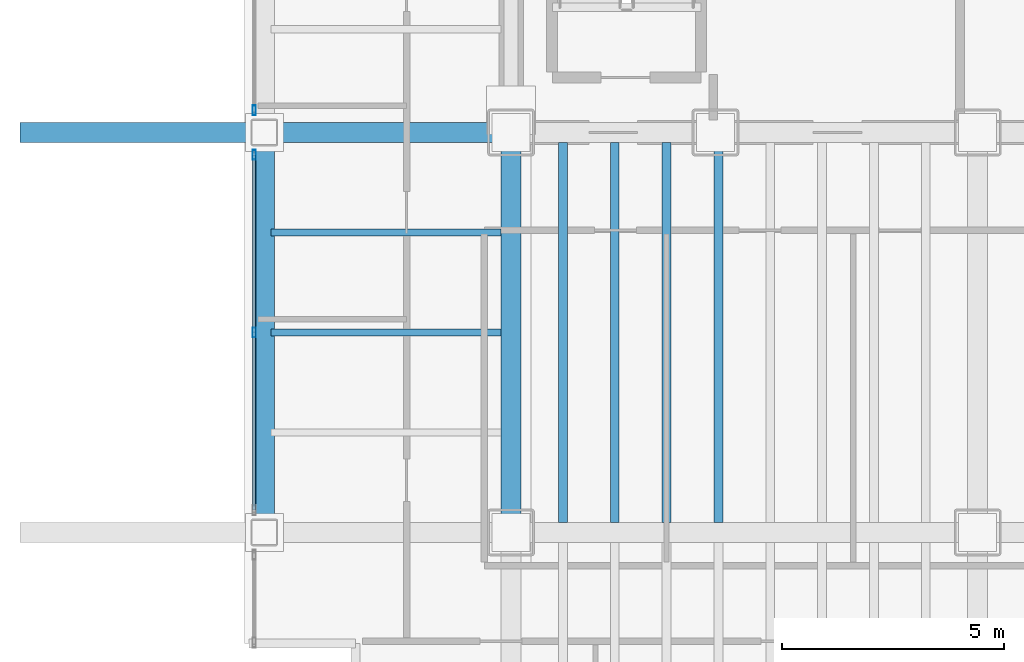
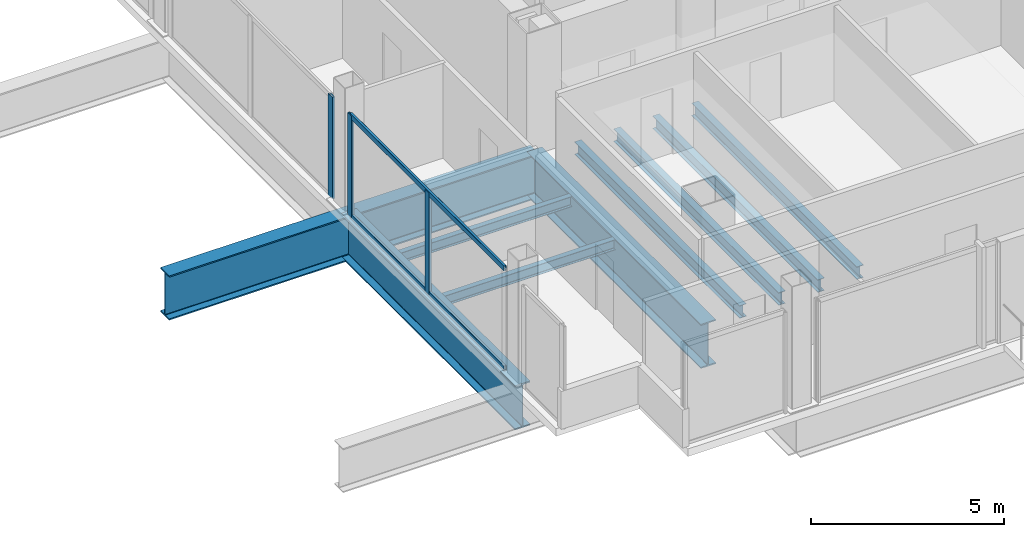
# One storey, part 4 of 23: 9 beams, 5 members, 2 elements without a shape of their own.
"""IFC4 building model written with IfcOpenShell, lengths in metres."""

from ifc_helpers import new_model, si_unit, direction, frame, origin, origin_2d, place, context, subcontext, project, spatial, hollow_rectangle, i_section, extrude, material, material_profile, profile_set, type_object, element, aggregate, save


model = new_model("IFC4")

# Units and contexts
model_context = context("Model", 3, precision=1e-05, world=origin(), true_north=direction((0.0, 1.0)))
body_context = subcontext(model_context, "Body", "Model", "MODEL_VIEW")
ifc_project = project(units=[si_unit("LENGTHUNIT", "METRE"), si_unit("AREAUNIT", "SQUARE_METRE"), si_unit("VOLUMEUNIT", "CUBIC_METRE"), si_unit("PLANEANGLEUNIT", "RADIAN"), si_unit("MASSUNIT", "GRAM", prefix="KILO")], contexts=[model_context])

# Site, building, storey
site_placement = place(None, origin())
site = spatial("IfcSite", under=ifc_project, at=site_placement, CompositionType="ELEMENT")
building_placement = place(site_placement, origin())
building = spatial("IfcBuilding", under=site, at=building_placement, Name="Noeulbin Bourse Tower", CompositionType="ELEMENT")
storey_placement = place(building_placement, frame((0.0, 0.0, 53.800048828125)))
storey = spatial("IfcBuildingStorey", under=building, at=storey_placement, Name="L13", CompositionType="ELEMENT", Elevation=53.800048828125)

# Beams
ifc_material_1 = material(Name="Steel S355", Category="steel")
ifc_material_profile_1 = material_profile(ifc_material_1, i_section(OverallWidth=0.159912109375, OverallDepth=0.320068359375, WebThickness=0.006591796875, FlangeThickness=0.010009765625, FilletRadius=0.012939453125, at=origin_2d()), Name="H-320x160x6.5x10", Category="LoadBearing")
ifc_profile_set_1 = profile_set([ifc_material_profile_1], Name="Steel S355")
beam_type_1 = type_object("IfcBeamType", Name="BM-JST-320", PredefinedType="JOIST", material=ifc_profile_set_1)
for number, where, z_axis, x_axis, name in (
    (1, (8.10009765625, 24.5, -0.400146484375), (1.0, 0.0, 0.0), (0.0, 1.0, 0.0), "Wing Composite Joist L13-W71"),
    (2, (8.10009765625, 26.75, -0.400146484375), (1.0, 0.0, 0.0), (0.0, 1.0, 0.0), "Wing Composite Joist L13-W72"),
):
    element("IfcBeam", number, at=place(storey_placement, frame(where, z_axis=z_axis, x_axis=x_axis)), inside=storey, type_object=beam_type_1, Name=name, PredefinedType="JOIST", context=body_context, shape_type="SweptSolid", body=[
        extrude(i_section(OverallWidth=0.159912109375, OverallDepth=0.320068359375, WebThickness=0.006591796875, FlangeThickness=0.010009765625, FilletRadius=0.012939453125, at=origin_2d()), origin(), (0.0, 0.0, 1.0), 5.1748046875),
    ])
ifc_material_profile_2 = material_profile(ifc_material_1, i_section(OverallWidth=0.199951171875, OverallDepth=0.39990234375, WebThickness=0.008056640625, FlangeThickness=0.012939453125, FilletRadius=0.01611328125, at=origin_2d()), Name="H-400x200x8x13", Category="LoadBearing")
ifc_profile_set_2 = profile_set([ifc_material_profile_2], Name="Steel S355")
beam_type_2 = type_object("IfcBeamType", Name="BM-SEC-400", PredefinedType="BEAM", material=ifc_profile_set_2)
for number, where, z_axis, x_axis, name in (
    (3, (14.666748046875, 20.22509765625, -0.43994140625), (0.0, 1.0, 0.0), (-1.0, 0.0, 0.0), "Tower Composite Joist L13-02"),
    (4, (15.833251953125, 20.22509765625, -0.43994140625), (0.0, 1.0, 0.0), (-1.0, 0.0, 0.0), "Tower Composite Joist L13-05"),
    (5, (17.0, 20.22509765625, -0.43994140625), (0.0, 1.0, 0.0), (-1.0, 0.0, 0.0), "Tower Composite Joist L13-08"),
    (6, (18.166748046875, 20.22509765625, -0.43994140625), (0.0, 1.0, 0.0), (-1.0, 0.0, 0.0), "Tower Composite Joist L13-11"),
):
    element("IfcBeam", number, at=place(storey_placement, frame(where, z_axis=z_axis, x_axis=x_axis)), inside=storey, type_object=beam_type_2, Name=name, PredefinedType="BEAM", context=body_context, shape_type="SweptSolid", body=[
        extrude(i_section(OverallWidth=0.199951171875, OverallDepth=0.39990234375, WebThickness=0.008056640625, FlangeThickness=0.012939453125, FilletRadius=0.01611328125, at=origin_2d()), origin(), (0.0, 0.0, 1.0), 8.5498046875),
    ])
ifc_material_2 = material(Name="Steel S460", Category="steel")
ifc_material_profile_3 = material_profile(ifc_material_2, i_section(OverallWidth=0.449951171875, OverallDepth=1.39990234375, WebThickness=0.02392578125, FlangeThickness=0.0400390625, FilletRadius=0.02392578125, at=origin_2d()), Name="PG-1400x450x24x40", Category="LoadBearing")
ifc_profile_set_3 = profile_set([ifc_material_profile_3], Name="Steel S460")
beam_type_3 = type_object("IfcBeamType", Name="BM-TRF-1400", PredefinedType="USERDEFINED", material=ifc_profile_set_3)
beam_placement = place(storey_placement, frame((2.449951171875, 29.0, -0.93994140625), z_axis=(1.0, 0.0, 0.0), x_axis=(0.0, 1.0, 0.0)))
element("IfcBeam", 7, at=beam_placement, inside=storey, type_object=beam_type_3, Name="Tower Primary Girder EW L13-2.1", ObjectType="GIRDER", PredefinedType="USERDEFINED", context=body_context, shape_type="SweptSolid", body=[
    extrude(i_section(OverallWidth=0.449951171875, OverallDepth=1.39990234375, WebThickness=0.02392578125, FlangeThickness=0.0400390625, FilletRadius=0.02392578125, at=origin_2d()), origin(), (0.0, 0.0, 1.0), 11.050048828125),
])
for number, where, z_axis, x_axis, name in (
    (8, (13.5, 20.0, -0.93994140625), (0.0, 1.0, 0.0), (-1.0, 0.0, 0.0), "Tower Primary Girder NS L13-1.2"),
    (9, (7.949951171875, 20.0, -0.93994140625), (0.0, 1.0, 0.0), (-1.0, 0.0, 0.0), "West Spandrel L13-1"),
):
    element("IfcBeam", number, at=place(storey_placement, frame(where, z_axis=z_axis, x_axis=x_axis)), inside=storey, type_object=beam_type_3, Name=name, ObjectType="GIRDER", PredefinedType="USERDEFINED", context=body_context, shape_type="SweptSolid", body=[
        extrude(i_section(OverallWidth=0.449951171875, OverallDepth=1.39990234375, WebThickness=0.02392578125, FlangeThickness=0.0400390625, FilletRadius=0.02392578125, at=origin_2d()), origin(), (0.0, 0.0, 1.0), 9.0),
    ])

# Curtain wall, members
ifc_material_3 = material(Name="Dark Solar-Control Double Glazing", Category="glass")
curtain_wall_type = type_object("IfcCurtainWallType", Name="CW-SYS-2", PredefinedType="NOTDEFINED", material=ifc_material_3)
curtain_wall_1_placement = place(storey_placement, origin())
curtain_wall_1 = element("IfcCurtainWall", 10, at=curtain_wall_1_placement, inside=storey, type_object=curtain_wall_type, Name="Unitised Curtain Wall CW-L13-W-S2", PredefinedType="NOTDEFINED")
ifc_material_4 = material(Name="Anodised Aluminium 6063-T6", Category="aluminium")
ifc_material_profile_4 = material_profile(ifc_material_4, hollow_rectangle(XDim=0.074951171875, YDim=0.219970703125, WallThickness=0.0048828125, InnerFilletRadius=0.00244140625, OuterFilletRadius=0.0048828125, at=origin_2d()), Name="ALU-MULL-75x220x5", Category="LoadBearing")
ifc_profile_set_4 = profile_set([ifc_material_profile_4], Name="Anodised Aluminium 6063-T6")
member_type_1 = type_object("IfcMemberType", Name="CW-SYS-2-MUL", PredefinedType="MULLION", material=ifc_profile_set_4)
member_1_placement = place(storey_placement, frame((7.719970703125, 24.5, -0.02001953125), z_axis=(0.0, 0.0, 1.0), x_axis=(1.0, 0.0, 0.0)))
member_1 = element("IfcMember", 11, at=member_1_placement, type_object=member_type_1, Name="Curtain Wall Mullion CW-L13-W-S2-M01", PredefinedType="MULLION", context=body_context, shape_type="SweptSolid", body=[
    extrude(hollow_rectangle(XDim=0.074951171875, YDim=0.219970703125, WallThickness=0.0048828125, InnerFilletRadius=0.00244140625, OuterFilletRadius=0.0048828125, at=origin_2d()), origin(), (0.0, 0.0, 1.0), 3.219970703125),
])
member_2_placement = place(storey_placement, frame((7.719970703125, 28.5, -0.02001953125), z_axis=(0.0, 0.0, 1.0), x_axis=(1.0, 0.0, 0.0)))
member_2 = element("IfcMember", 12, at=member_2_placement, type_object=member_type_1, Name="Curtain Wall Mullion CW-L13-W-S2-M02", PredefinedType="MULLION", context=body_context, shape_type="SweptSolid", body=[
    extrude(hollow_rectangle(XDim=0.074951171875, YDim=0.219970703125, WallThickness=0.0048828125, InnerFilletRadius=0.00244140625, OuterFilletRadius=0.0048828125, at=origin_2d()), origin(), (0.0, 0.0, 1.0), 3.219970703125),
])

# Curtain wall, member
curtain_wall_2_placement = place(storey_placement, origin())
curtain_wall_2 = element("IfcCurtainWall", 13, at=curtain_wall_2_placement, inside=storey, type_object=curtain_wall_type, Name="Unitised Curtain Wall CW-L13-W-S3", PredefinedType="NOTDEFINED")
member_3_placement = place(storey_placement, frame((7.719970703125, 29.5, -0.02001953125), z_axis=(0.0, 0.0, 1.0), x_axis=(1.0, 0.0, 0.0)))
member_3 = element("IfcMember", 14, at=member_3_placement, type_object=member_type_1, Name="Curtain Wall Mullion CW-L13-W-S3-M00", PredefinedType="MULLION", context=body_context, shape_type="SweptSolid", body=[
    extrude(hollow_rectangle(XDim=0.074951171875, YDim=0.219970703125, WallThickness=0.0048828125, InnerFilletRadius=0.00244140625, OuterFilletRadius=0.0048828125, at=origin_2d()), origin(), (0.0, 0.0, 1.0), 3.219970703125),
])
aggregate(curtain_wall_2, [member_3])

# Member
ifc_material_profile_5 = material_profile(ifc_material_4, hollow_rectangle(XDim=0.074951171875, YDim=0.159912109375, WallThickness=0.0048828125, InnerFilletRadius=0.00244140625, OuterFilletRadius=0.0048828125, at=origin_2d()), Name="ALU-TRAN-75x160x5", Category="LoadBearing")
ifc_profile_set_5 = profile_set([ifc_material_profile_5], Name="Anodised Aluminium 6063-T6")
member_type_2 = type_object("IfcMemberType", Name="CW-SYS-2-TRN", PredefinedType="USERDEFINED", material=ifc_profile_set_5)
member_4_placement = place(storey_placement, frame((7.719970703125, 20.510009765625, 0.010009765625), z_axis=(0.0, 1.0, 0.0), x_axis=(-1.0, 0.0, 0.0)))
member_4 = element("IfcMember", 15, at=member_4_placement, type_object=member_type_2, Name="Curtain Wall Transom CW-L13-W-S2-T00", ObjectType="TRANSOM", PredefinedType="USERDEFINED", context=body_context, shape_type="SweptSolid", body=[
    extrude(hollow_rectangle(XDim=0.074951171875, YDim=0.159912109375, WallThickness=0.0048828125, InnerFilletRadius=0.00244140625, OuterFilletRadius=0.0048828125, at=origin_2d()), origin(), (0.0, 0.0, 1.0), 7.97998046875),
])

member_5_placement = place(storey_placement, frame((7.719970703125, 20.510009765625, 3.169921875), z_axis=(0.0, 1.0, 0.0), x_axis=(-1.0, 0.0, 0.0)))
member_5 = element("IfcMember", 16, at=member_5_placement, type_object=member_type_2, Name="Curtain Wall Transom CW-L13-W-S2-T01", ObjectType="TRANSOM", PredefinedType="USERDEFINED", context=body_context, shape_type="SweptSolid", body=[
    extrude(hollow_rectangle(XDim=0.074951171875, YDim=0.159912109375, WallThickness=0.0048828125, InnerFilletRadius=0.00244140625, OuterFilletRadius=0.0048828125, at=origin_2d()), origin(), (0.0, 0.0, 1.0), 7.97998046875),
])

aggregate(curtain_wall_1, [member_1, member_2, member_4, member_5])

save(model, "model.ifc")
